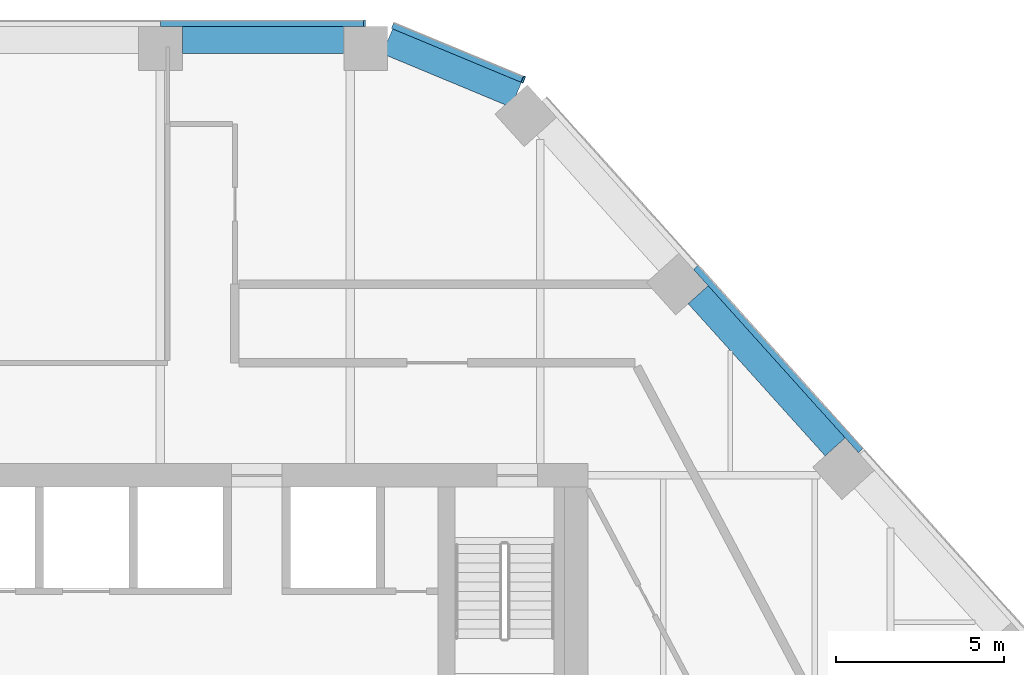
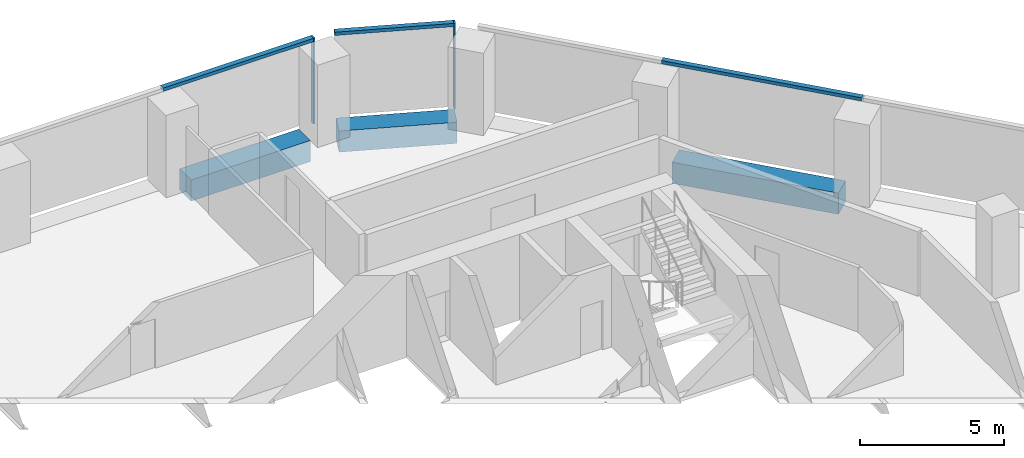
# One storey, part 9 of 16: 5 members, 3 beams, 3 elements without a shape of their own.
"""IFC4 building model written with IfcOpenShell, lengths in metres."""

from ifc_helpers import new_model, si_unit, direction, frame, origin, origin_2d, place, context, subcontext, project, spatial, rectangle, extrude, material, layer, layer_set, material_profile, profile_set, type_object, element, aggregate, save


model = new_model("IFC4")

# Units and contexts
model_context = context("Model", 3, precision=1e-05, world=origin(), true_north=direction((0.0, 1.0)))
body_context = subcontext(model_context, "Body", "Model", "MODEL_VIEW")
ifc_project = project(units=[si_unit("LENGTHUNIT", "METRE"), si_unit("AREAUNIT", "SQUARE_METRE"), si_unit("VOLUMEUNIT", "CUBIC_METRE"), si_unit("PLANEANGLEUNIT", "RADIAN"), si_unit("MASSUNIT", "GRAM", prefix="KILO")], contexts=[model_context])

# Site, building, storey
site_placement = place(None, origin())
site = spatial("IfcSite", under=ifc_project, at=site_placement, CompositionType="ELEMENT")
building_placement = place(site_placement, origin())
building = spatial("IfcBuilding", under=site, at=building_placement, Name="Isthmus Gate Tower", CompositionType="ELEMENT")
storey_placement = place(building_placement, frame((0.0, 0.0, 178.10009765625)))
storey = spatial("IfcBuildingStorey", under=building, at=storey_placement, Name="L44", CompositionType="ELEMENT", Elevation=178.10009765625)

# Curtain wall, member
ifc_material_1 = material(Name="Aluminium, pale champagne anodised", Category="aluminium")
ifc_layer = layer(ifc_material_1, 0.199951171875)
ifc_layer_set = layer_set([ifc_layer], Name="CW-1 UNITISED CURTAIN WALL 200 DEEP")
curtain_wall_type = type_object("IfcCurtainWallType", Name="CW-1 UNITISED CURTAIN WALL 200 DEEP", PredefinedType="NOTDEFINED", material=ifc_layer_set)
curtain_wall_1_placement = place(storey_placement, origin())
curtain_wall_1 = element("IfcCurtainWall", 1, at=curtain_wall_1_placement, inside=storey, type_object=curtain_wall_type, Name="CW-1 N L44", PredefinedType="NOTDEFINED")
ifc_material_2 = material(Name="Aluminium, pale champagne anodised", Category="aluminium")
ifc_material_profile_1 = material_profile(ifc_material_2, rectangle(XDim=0.06005859375, YDim=0.199951171875, at=origin_2d()), Name="60x200")
ifc_profile_set_1 = profile_set([ifc_material_profile_1], Name="Aluminium, pale champagne anodised")
member_type_1 = type_object("IfcMemberType", Name="CW-1 MULLION 60 X 200", PredefinedType="MULLION", material=ifc_profile_set_1)
member_1_placement = place(storey_placement, frame((8.358642578125, 28.10009765625, 0.0), z_axis=(0.0, 0.0, 1.0), x_axis=(-1.0, 0.0, 0.0)))
member_1 = element("IfcMember", 2, at=member_1_placement, type_object=member_type_1, Name="CW-1 mullion", PredefinedType="MULLION", context=body_context, shape_type="SweptSolid", body=[
    extrude(rectangle(XDim=0.06005859375, YDim=0.199951171875, at=origin_2d()), origin(), (0.0, 0.0, 1.0), 3.64990234375),
])

curtain_wall_2_placement = place(storey_placement, origin())
curtain_wall_2 = element("IfcCurtainWall", 3, at=curtain_wall_2_placement, inside=storey, type_object=curtain_wall_type, Name="CW-1 NE-N L44", PredefinedType="NOTDEFINED")
member_2_placement = place(storey_placement, frame((13.080810546875, 26.427490234375, 0.0), z_axis=(0.0, 0.0, 1.0), x_axis=(-0.923353128387, 0.383951820282, 0.0)))
member_2 = element("IfcMember", 4, at=member_2_placement, type_object=member_type_1, Name="CW-1 mullion", PredefinedType="MULLION", context=body_context, shape_type="SweptSolid", body=[
    extrude(rectangle(XDim=0.06005859375, YDim=0.199951171875, at=origin_2d()), origin(), (0.0, 0.0, 1.0), 3.64990234375),
])

# Member
ifc_material_3 = material(Name="Aluminium, pale champagne anodised", Category="aluminium")
ifc_material_profile_2 = material_profile(ifc_material_3, rectangle(XDim=0.199951171875, YDim=0.139892578125, at=origin_2d()), Name="200x140")
ifc_profile_set_2 = profile_set([ifc_material_profile_2], Name="Aluminium, pale champagne anodised")
member_type_2 = type_object("IfcMemberType", Name="CW-1 TRANSOM 200 X 140", PredefinedType="USERDEFINED", material=ifc_profile_set_2)
member_3_placement = place(storey_placement, frame((8.32861328125, 28.10009765625, 3.579833984375), z_axis=(-1.0, 0.0, 0.0), x_axis=(0.0, -1.0, 0.0)))
member_3 = element("IfcMember", 5, at=member_3_placement, type_object=member_type_2, Name="CW-1 transom", ObjectType="TRANSOM", PredefinedType="USERDEFINED", context=body_context, shape_type="SweptSolid", body=[
    extrude(rectangle(XDim=0.199951171875, YDim=0.139892578125, at=origin_2d()), origin(), (0.0, 0.0, 1.0), 6.040283203125),
])

aggregate(curtain_wall_1, [member_1, member_3])

# Curtain wall, member
curtain_wall_3_placement = place(storey_placement, origin())
curtain_wall_3 = element("IfcCurtainWall", 6, at=curtain_wall_3_placement, inside=storey, type_object=curtain_wall_type, Name="CW-1 NE L44", PredefinedType="NOTDEFINED")
member_4_placement = place(storey_placement, frame((23.126708984375, 15.3955078125, 3.579833984375), z_axis=(-0.669137671884, 0.743138463589, 0.0), x_axis=(-0.743138463589, -0.669137671884, 0.0)))
member_4 = element("IfcMember", 7, at=member_4_placement, type_object=member_type_2, Name="CW-1 transom", ObjectType="TRANSOM", PredefinedType="USERDEFINED", context=body_context, shape_type="SweptSolid", body=[
    extrude(rectangle(XDim=0.199951171875, YDim=0.139892578125, at=origin_2d()), origin(), (0.0, 0.0, 1.0), 7.330810546875),
])
aggregate(curtain_wall_3, [member_4])

# Member
member_5_placement = place(storey_placement, frame((13.05322265625, 26.43896484375, 3.579833984375), z_axis=(-0.923358236369, 0.383939536033, 0.0), x_axis=(-0.383939536033, -0.923358236369, 0.0)))
member_5 = element("IfcMember", 8, at=member_5_placement, type_object=member_type_2, Name="CW-1 transom", ObjectType="TRANSOM", PredefinedType="USERDEFINED", context=body_context, shape_type="SweptSolid", body=[
    extrude(rectangle(XDim=0.199951171875, YDim=0.139892578125, at=origin_2d()), origin(), (0.0, 0.0, 1.0), 4.181640625),
])

aggregate(curtain_wall_2, [member_2, member_5])

# Beams
ifc_material_4 = material(Name="Concrete f'c 60 MPa", Category="concrete")
ifc_material_profile_3 = material_profile(ifc_material_4, rectangle(XDim=0.800048828125, YDim=0.89990234375, at=origin_2d()), Name="RC 800X900")
ifc_profile_set_3 = profile_set([ifc_material_profile_3], Name="Concrete f'c 60 MPa")
beam_type = type_object("IfcBeamType", Name="RC SPANDREL 800 X 900", PredefinedType="SPANDREL", material=ifc_profile_set_3)
beam_1_placement = place(storey_placement, frame((9.03857421875, 27.56689453125, -0.4501953125), z_axis=(0.923342835736, -0.383976571805, 0.0), x_axis=(0.383976571805, 0.923342835736, 0.0)))
element("IfcBeam", 9, at=beam_1_placement, inside=storey, type_object=beam_type, Name="str-spandrel-L44-00", PredefinedType="SPANDREL", context=body_context, shape_type="SweptSolid", body=[
    extrude(rectangle(XDim=0.800048828125, YDim=0.89990234375, at=origin_2d()), origin(), (0.0, 0.0, 1.0), 4.152587890625),
])
beam_2_placement = place(storey_placement, frame((18.284912109375, 20.025634765625, -0.4501953125), z_axis=(0.669119737495, -0.743154611703, 0.0), x_axis=(0.743154611703, 0.669119737495, 0.0)))
element("IfcBeam", 10, at=beam_2_placement, inside=storey, type_object=beam_type, Name="str-spandrel-L44-02", PredefinedType="SPANDREL", context=body_context, shape_type="SweptSolid", body=[
    extrude(rectangle(XDim=0.800048828125, YDim=0.89990234375, at=origin_2d()), origin(), (0.0, 0.0, 1.0), 6.0908203125),
])
beam_3_placement = place(storey_placement, frame((2.9384765625, 27.60009765625, -0.4501953125), z_axis=(1.0, 0.0, 0.0), x_axis=(0.0, 1.0, 0.0)))
element("IfcBeam", 11, at=beam_3_placement, inside=storey, type_object=beam_type, Name="str-spandrel-L44-29", PredefinedType="SPANDREL", context=body_context, shape_type="SweptSolid", body=[
    extrude(rectangle(XDim=0.800048828125, YDim=0.89990234375, at=origin_2d()), origin(), (0.0, 0.0, 1.0), 4.800048828125),
])

save(model, "model.ifc")
